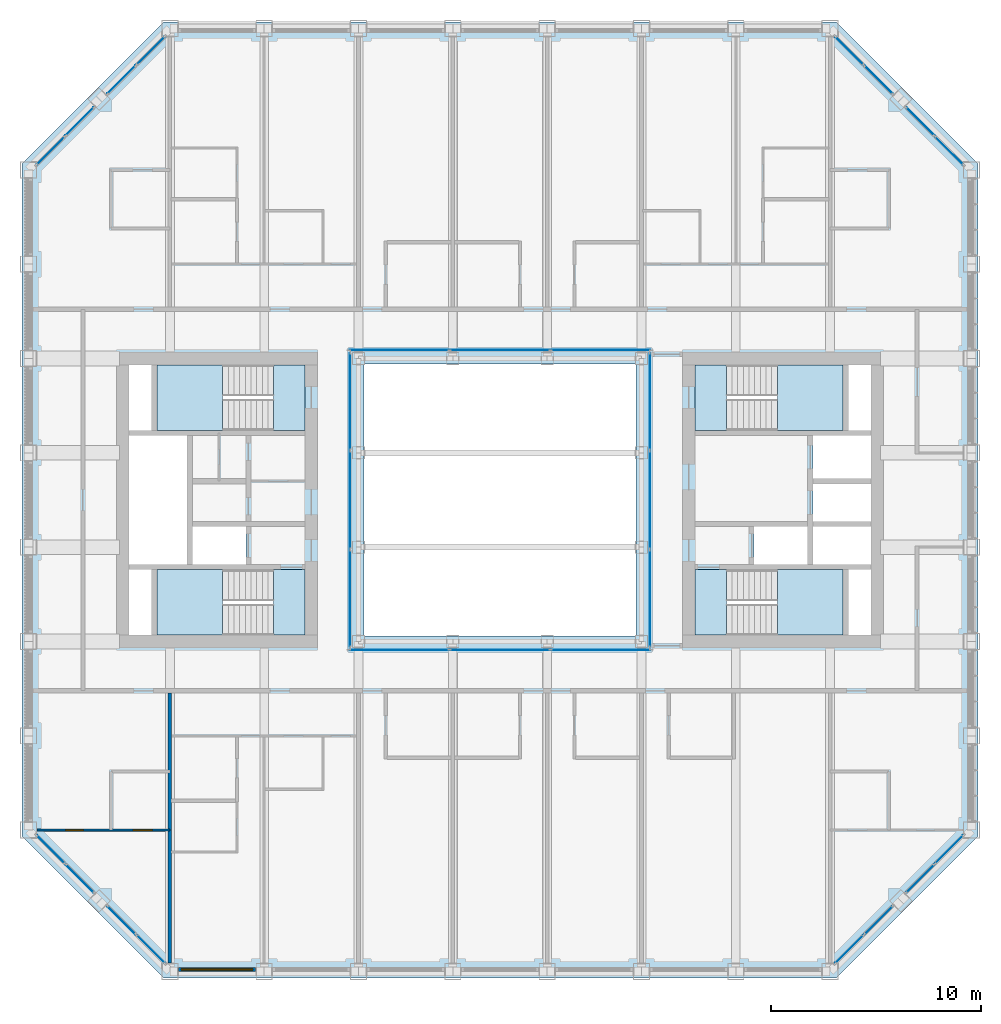
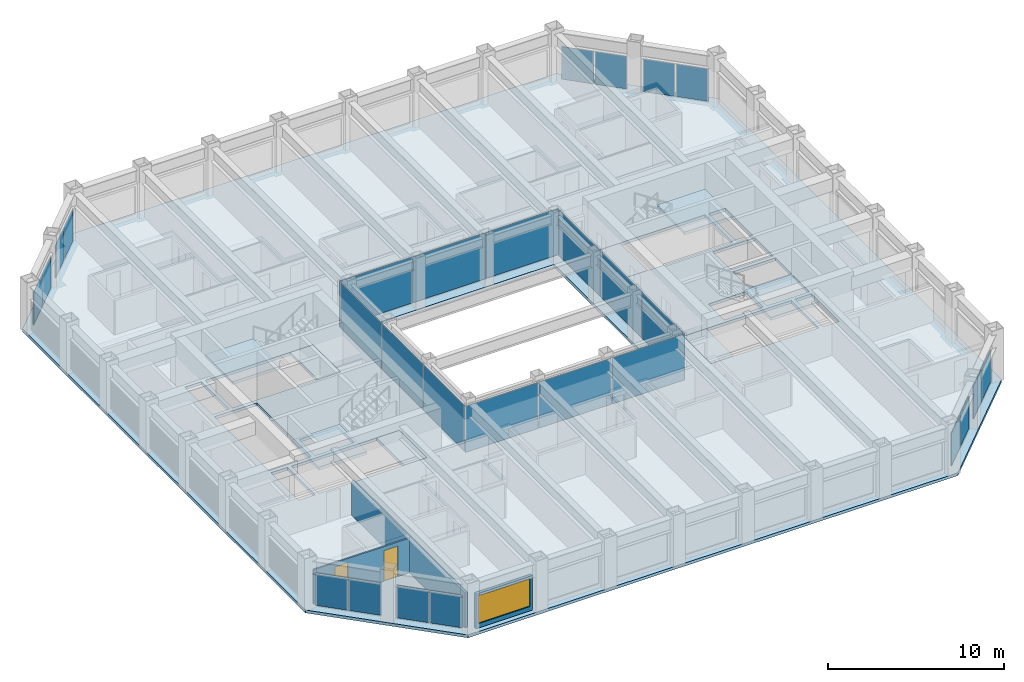
# One storey, part 9 of 18: 28 plates, 9 slabs, 3 walls, 2 doors, 1 window, 3 openings, 16 elements without a shape of their own.
"""IFC4 building model written with IfcOpenShell, lengths in metres."""

from ifc_helpers import new_model, si_unit, direction, frame, frame_2d, origin, origin_2d, place, context, subcontext, project, spatial, polyline, rectangle, outline, extrude, material, layer, layer_set, type_object, element, fill, aggregate, save


model = new_model("IFC4")

# Units and contexts
model_context = context("Model", 3, precision=1e-05, world=origin(), true_north=direction((0.0, 1.0)))
body_context = subcontext(model_context, "Body", "Model", "MODEL_VIEW")
ifc_project = project(units=[si_unit("LENGTHUNIT", "METRE"), si_unit("AREAUNIT", "SQUARE_METRE"), si_unit("VOLUMEUNIT", "CUBIC_METRE"), si_unit("PLANEANGLEUNIT", "RADIAN"), si_unit("MASSUNIT", "GRAM", prefix="KILO")], contexts=[model_context])

# Site, building, storey
site_placement = place(None, origin())
site = spatial("IfcSite", under=ifc_project, at=site_placement, CompositionType="ELEMENT")
building_placement = place(site_placement, origin())
building = spatial("IfcBuilding", under=site, at=building_placement, Name="Msasa Ring Tower", CompositionType="ELEMENT")
storey_placement = place(building_placement, frame((0.0, 0.0, 186.800048828125)))
storey = spatial("IfcBuildingStorey", under=building, at=storey_placement, Name="L49", CompositionType="ELEMENT", Elevation=186.800048828125)

# Curtain wall, plates
ifc_material_1 = material(Name="Aluminium curtain wall with clear glass", Category="aluminium")
curtain_wall_type_1 = type_object("IfcCurtainWallType", Name="CW-C CHAMFER CORNER CURTAIN WALL", PredefinedType="NOTDEFINED", material=ifc_material_1)
curtain_wall_1_placement = place(storey_placement, origin())
curtain_wall_1 = element("IfcCurtainWall", 1, at=curtain_wall_1_placement, inside=storey, type_object=curtain_wall_type_1, Name="Chamfer corner curtain wall SE L49", PredefinedType="NOTDEFINED")
ifc_material_2 = material(Name="Clear laminated insulating glass unit", Category="glass")
ifc_layer_1 = layer(ifc_material_2, 0.031982421875)
ifc_layer_set_1 = layer_set([ifc_layer_1], Name="CW-C GLASS PANEL 32")
plate_type_1 = type_object("IfcPlateType", Name="CW-C GLASS PANEL 32", PredefinedType="CURTAIN_PANEL", material=ifc_layer_set_1)
plate_1_placement = place(storey_placement, frame((16.677734375, -21.430908203125, 0.06494140625), z_axis=(0.0, 0.0, 1.0), x_axis=(0.707106781187, 0.707106781187, 0.0)))
plate_1 = element("IfcPlate", 2, at=plate_1_placement, type_object=plate_type_1, Name="CW-C panel 1.1", PredefinedType="CURTAIN_PANEL", context=body_context, shape_type="SweptSolid", body=[
    extrude(rectangle(XDim=1.884033203125, YDim=0.031982421875, at=origin_2d()), origin(), (0.0, 0.0, 1.0), 2.2490234375),
])
plate_2_placement = place(storey_placement, frame((18.055908203125, -20.052734375, 0.06494140625), z_axis=(0.0, 0.0, 1.0), x_axis=(0.707106781187, 0.707106781187, 0.0)))
plate_2 = element("IfcPlate", 3, at=plate_2_placement, type_object=plate_type_1, Name="CW-C panel 2.1", PredefinedType="CURTAIN_PANEL", context=body_context, shape_type="SweptSolid", body=[
    extrude(rectangle(XDim=1.884033203125, YDim=0.031982421875, at=origin_2d()), origin(), (0.0, 0.0, 1.0), 2.2490234375),
])
aggregate(curtain_wall_1, [plate_1, plate_2])

curtain_wall_2_placement = place(storey_placement, origin())
curtain_wall_2 = element("IfcCurtainWall", 4, at=curtain_wall_2_placement, inside=storey, type_object=curtain_wall_type_1, Name="Chamfer corner curtain wall SE L49", PredefinedType="NOTDEFINED")
plate_3_placement = place(storey_placement, frame((20.052734375, -18.055908203125, 0.06494140625), z_axis=(0.0, 0.0, 1.0), x_axis=(0.707106781187, 0.707106781187, 0.0)))
plate_3 = element("IfcPlate", 5, at=plate_3_placement, type_object=plate_type_1, Name="CW-C panel 1.1", PredefinedType="CURTAIN_PANEL", context=body_context, shape_type="SweptSolid", body=[
    extrude(rectangle(XDim=1.884033203125, YDim=0.031982421875, at=origin_2d()), origin(), (0.0, 0.0, 1.0), 2.2490234375),
])
plate_4_placement = place(storey_placement, frame((21.430908203125, -16.677734375, 0.06494140625), z_axis=(0.0, 0.0, 1.0), x_axis=(0.707106781187, 0.707106781187, 0.0)))
plate_4 = element("IfcPlate", 6, at=plate_4_placement, type_object=plate_type_1, Name="CW-C panel 2.1", PredefinedType="CURTAIN_PANEL", context=body_context, shape_type="SweptSolid", body=[
    extrude(rectangle(XDim=1.884033203125, YDim=0.031982421875, at=origin_2d()), origin(), (0.0, 0.0, 1.0), 2.2490234375),
])
aggregate(curtain_wall_2, [plate_3, plate_4])

curtain_wall_3_placement = place(storey_placement, origin())
curtain_wall_3 = element("IfcCurtainWall", 7, at=curtain_wall_3_placement, inside=storey, type_object=curtain_wall_type_1, Name="Chamfer corner curtain wall NE L49", PredefinedType="NOTDEFINED")
plate_5_placement = place(storey_placement, frame((18.055908203125, 20.052734375, 0.06494140625), z_axis=(0.0, 0.0, 1.0), x_axis=(-0.707106781187, 0.707106781187, 0.0)))
plate_5 = element("IfcPlate", 8, at=plate_5_placement, type_object=plate_type_1, Name="CW-C panel 1.1", PredefinedType="CURTAIN_PANEL", context=body_context, shape_type="SweptSolid", body=[
    extrude(rectangle(XDim=1.884033203125, YDim=0.031982421875, at=origin_2d()), origin(), (0.0, 0.0, 1.0), 2.2490234375),
])
plate_6_placement = place(storey_placement, frame((16.677734375, 21.430908203125, 0.06494140625), z_axis=(0.0, 0.0, 1.0), x_axis=(-0.707106781187, 0.707106781187, 0.0)))
plate_6 = element("IfcPlate", 9, at=plate_6_placement, type_object=plate_type_1, Name="CW-C panel 2.1", PredefinedType="CURTAIN_PANEL", context=body_context, shape_type="SweptSolid", body=[
    extrude(rectangle(XDim=1.884033203125, YDim=0.031982421875, at=origin_2d()), origin(), (0.0, 0.0, 1.0), 2.2490234375),
])
aggregate(curtain_wall_3, [plate_5, plate_6])

curtain_wall_4_placement = place(storey_placement, origin())
curtain_wall_4 = element("IfcCurtainWall", 10, at=curtain_wall_4_placement, inside=storey, type_object=curtain_wall_type_1, Name="Chamfer corner curtain wall NE L49", PredefinedType="NOTDEFINED")
plate_7_placement = place(storey_placement, frame((21.430908203125, 16.677734375, 0.06494140625), z_axis=(0.0, 0.0, 1.0), x_axis=(-0.707106781187, 0.707106781187, 0.0)))
plate_7 = element("IfcPlate", 11, at=plate_7_placement, type_object=plate_type_1, Name="CW-C panel 1.1", PredefinedType="CURTAIN_PANEL", context=body_context, shape_type="SweptSolid", body=[
    extrude(rectangle(XDim=1.884033203125, YDim=0.031982421875, at=origin_2d()), origin(), (0.0, 0.0, 1.0), 2.2490234375),
])
plate_8_placement = place(storey_placement, frame((20.052734375, 18.055908203125, 0.06494140625), z_axis=(0.0, 0.0, 1.0), x_axis=(-0.707106781187, 0.707106781187, 0.0)))
plate_8 = element("IfcPlate", 12, at=plate_8_placement, type_object=plate_type_1, Name="CW-C panel 2.1", PredefinedType="CURTAIN_PANEL", context=body_context, shape_type="SweptSolid", body=[
    extrude(rectangle(XDim=1.884033203125, YDim=0.031982421875, at=origin_2d()), origin(), (0.0, 0.0, 1.0), 2.2490234375),
])
aggregate(curtain_wall_4, [plate_7, plate_8])

curtain_wall_5_placement = place(storey_placement, origin())
curtain_wall_5 = element("IfcCurtainWall", 13, at=curtain_wall_5_placement, inside=storey, type_object=curtain_wall_type_1, Name="Chamfer corner curtain wall NW L49", PredefinedType="NOTDEFINED")
plate_9_placement = place(storey_placement, frame((-20.052734375, 18.055908203125, 0.06494140625), z_axis=(0.0, 0.0, 1.0), x_axis=(-0.707106781187, -0.707106781187, 0.0)))
plate_9 = element("IfcPlate", 14, at=plate_9_placement, type_object=plate_type_1, Name="CW-C panel 1.1", PredefinedType="CURTAIN_PANEL", context=body_context, shape_type="SweptSolid", body=[
    extrude(rectangle(XDim=1.884033203125, YDim=0.031982421875, at=origin_2d()), origin(), (0.0, 0.0, 1.0), 2.2490234375),
])
plate_10_placement = place(storey_placement, frame((-21.430908203125, 16.677734375, 0.06494140625), z_axis=(0.0, 0.0, 1.0), x_axis=(-0.707106781187, -0.707106781187, 0.0)))
plate_10 = element("IfcPlate", 15, at=plate_10_placement, type_object=plate_type_1, Name="CW-C panel 2.1", PredefinedType="CURTAIN_PANEL", context=body_context, shape_type="SweptSolid", body=[
    extrude(rectangle(XDim=1.884033203125, YDim=0.031982421875, at=origin_2d()), origin(), (0.0, 0.0, 1.0), 2.2490234375),
])
aggregate(curtain_wall_5, [plate_9, plate_10])

curtain_wall_6_placement = place(storey_placement, origin())
curtain_wall_6 = element("IfcCurtainWall", 16, at=curtain_wall_6_placement, inside=storey, type_object=curtain_wall_type_1, Name="Chamfer corner curtain wall NW L49", PredefinedType="NOTDEFINED")
plate_11_placement = place(storey_placement, frame((-16.677734375, 21.430908203125, 0.06494140625), z_axis=(0.0, 0.0, 1.0), x_axis=(-0.707106781187, -0.707106781187, 0.0)))
plate_11 = element("IfcPlate", 17, at=plate_11_placement, type_object=plate_type_1, Name="CW-C panel 1.1", PredefinedType="CURTAIN_PANEL", context=body_context, shape_type="SweptSolid", body=[
    extrude(rectangle(XDim=1.884033203125, YDim=0.031982421875, at=origin_2d()), origin(), (0.0, 0.0, 1.0), 2.2490234375),
])
plate_12_placement = place(storey_placement, frame((-18.055908203125, 20.052734375, 0.06494140625), z_axis=(0.0, 0.0, 1.0), x_axis=(-0.707106781187, -0.707106781187, 0.0)))
plate_12 = element("IfcPlate", 18, at=plate_12_placement, type_object=plate_type_1, Name="CW-C panel 2.1", PredefinedType="CURTAIN_PANEL", context=body_context, shape_type="SweptSolid", body=[
    extrude(rectangle(XDim=1.884033203125, YDim=0.031982421875, at=origin_2d()), origin(), (0.0, 0.0, 1.0), 2.2490234375),
])
aggregate(curtain_wall_6, [plate_11, plate_12])

curtain_wall_7_placement = place(storey_placement, origin())
curtain_wall_7 = element("IfcCurtainWall", 19, at=curtain_wall_7_placement, inside=storey, type_object=curtain_wall_type_1, Name="Chamfer corner curtain wall SW L49", PredefinedType="NOTDEFINED")
plate_13_placement = place(storey_placement, frame((-21.430908203125, -16.677734375, 0.06494140625), z_axis=(0.0, 0.0, 1.0), x_axis=(0.707106781187, -0.707106781187, 0.0)))
plate_13 = element("IfcPlate", 20, at=plate_13_placement, type_object=plate_type_1, Name="CW-C panel 1.1", PredefinedType="CURTAIN_PANEL", context=body_context, shape_type="SweptSolid", body=[
    extrude(rectangle(XDim=1.884033203125, YDim=0.031982421875, at=origin_2d()), origin(), (0.0, 0.0, 1.0), 2.2490234375),
])
plate_14_placement = place(storey_placement, frame((-20.052734375, -18.055908203125, 0.06494140625), z_axis=(0.0, 0.0, 1.0), x_axis=(0.707106781187, -0.707106781187, 0.0)))
plate_14 = element("IfcPlate", 21, at=plate_14_placement, type_object=plate_type_1, Name="CW-C panel 2.1", PredefinedType="CURTAIN_PANEL", context=body_context, shape_type="SweptSolid", body=[
    extrude(rectangle(XDim=1.884033203125, YDim=0.031982421875, at=origin_2d()), origin(), (0.0, 0.0, 1.0), 2.2490234375),
])
aggregate(curtain_wall_7, [plate_13, plate_14])

curtain_wall_8_placement = place(storey_placement, origin())
curtain_wall_8 = element("IfcCurtainWall", 22, at=curtain_wall_8_placement, inside=storey, type_object=curtain_wall_type_1, Name="Chamfer corner curtain wall SW L49", PredefinedType="NOTDEFINED")
plate_15_placement = place(storey_placement, frame((-18.055908203125, -20.052734375, 0.06494140625), z_axis=(0.0, 0.0, 1.0), x_axis=(0.707106781187, -0.707106781187, 0.0)))
plate_15 = element("IfcPlate", 23, at=plate_15_placement, type_object=plate_type_1, Name="CW-C panel 1.1", PredefinedType="CURTAIN_PANEL", context=body_context, shape_type="SweptSolid", body=[
    extrude(rectangle(XDim=1.884033203125, YDim=0.031982421875, at=origin_2d()), origin(), (0.0, 0.0, 1.0), 2.2490234375),
])
plate_16_placement = place(storey_placement, frame((-16.677734375, -21.430908203125, 0.06494140625), z_axis=(0.0, 0.0, 1.0), x_axis=(0.707106781187, -0.707106781187, 0.0)))
plate_16 = element("IfcPlate", 24, at=plate_16_placement, type_object=plate_type_1, Name="CW-C panel 2.1", PredefinedType="CURTAIN_PANEL", context=body_context, shape_type="SweptSolid", body=[
    extrude(rectangle(XDim=1.884033203125, YDim=0.031982421875, at=origin_2d()), origin(), (0.0, 0.0, 1.0), 2.2490234375),
])
aggregate(curtain_wall_8, [plate_15, plate_16])

ifc_material_3 = material(Name="Aluminium curtain wall with clear glass", Category="aluminium")
curtain_wall_type_2 = type_object("IfcCurtainWallType", Name="CW-W LIGHT WELL CURTAIN WALL", PredefinedType="NOTDEFINED", material=ifc_material_3)
curtain_wall_9_placement = place(storey_placement, origin())
curtain_wall_9 = element("IfcCurtainWall", 25, at=curtain_wall_9_placement, inside=storey, type_object=curtain_wall_type_2, Name="Light well curtain wall N L49", PredefinedType="NOTDEFINED")
ifc_material_4 = material(Name="Clear laminated insulating glass unit", Category="glass")
ifc_layer_2 = layer(ifc_material_4, 0.028076171875)
ifc_layer_set_2 = layer_set([ifc_layer_2], Name="CW-W GLASS PANEL 28")
plate_type_2 = type_object("IfcPlateType", Name="CW-W GLASS PANEL 28", PredefinedType="CURTAIN_PANEL", material=ifc_layer_set_2)
plate_17_placement = place(storey_placement, frame((-4.804931640625, 7.14990234375, 0.06005859375), z_axis=(0.0, 0.0, 1.0), x_axis=(1.0, 0.0, 0.0)))
plate_17 = element("IfcPlate", 26, at=plate_17_placement, type_object=plate_type_2, Name="CW-W panel 1.1", PredefinedType="CURTAIN_PANEL", context=body_context, shape_type="SweptSolid", body=[
    extrude(rectangle(XDim=4.72998046875, YDim=0.028076171875, at=origin_2d()), origin(), (0.0, 0.0, 1.0), 3.179931640625),
])
plate_18_placement = place(storey_placement, frame((0.0, 7.14990234375, 0.06005859375), z_axis=(0.0, 0.0, 1.0), x_axis=(1.0, 0.0, 0.0)))
plate_18 = element("IfcPlate", 27, at=plate_18_placement, type_object=plate_type_2, Name="CW-W panel 2.1", PredefinedType="CURTAIN_PANEL", context=body_context, shape_type="SweptSolid", body=[
    extrude(rectangle(XDim=4.760009765625, YDim=0.028076171875, at=origin_2d()), origin(), (0.0, 0.0, 1.0), 3.179931640625),
])
plate_19_placement = place(storey_placement, frame((4.804931640625, 7.14990234375, 0.06005859375), z_axis=(0.0, 0.0, 1.0), x_axis=(1.0, 0.0, 0.0)))
plate_19 = element("IfcPlate", 28, at=plate_19_placement, type_object=plate_type_2, Name="CW-W panel 3.1", PredefinedType="CURTAIN_PANEL", context=body_context, shape_type="SweptSolid", body=[
    extrude(rectangle(XDim=4.72998046875, YDim=0.028076171875, at=origin_2d()), origin(), (0.0, 0.0, 1.0), 3.179931640625),
])
aggregate(curtain_wall_9, [plate_17, plate_18, plate_19])

curtain_wall_10_placement = place(storey_placement, origin())
curtain_wall_10 = element("IfcCurtainWall", 29, at=curtain_wall_10_placement, inside=storey, type_object=curtain_wall_type_2, Name="Light well curtain wall S L49", PredefinedType="NOTDEFINED")
plate_20_placement = place(storey_placement, frame((-4.804931640625, -7.14990234375, 0.06005859375), z_axis=(0.0, 0.0, 1.0), x_axis=(1.0, 0.0, 0.0)))
plate_20 = element("IfcPlate", 30, at=plate_20_placement, type_object=plate_type_2, Name="CW-W panel 1.1", PredefinedType="CURTAIN_PANEL", context=body_context, shape_type="SweptSolid", body=[
    extrude(rectangle(XDim=4.72998046875, YDim=0.028076171875, at=origin_2d()), origin(), (0.0, 0.0, 1.0), 3.179931640625),
])
plate_21_placement = place(storey_placement, frame((0.0, -7.14990234375, 0.06005859375), z_axis=(0.0, 0.0, 1.0), x_axis=(1.0, 0.0, 0.0)))
plate_21 = element("IfcPlate", 31, at=plate_21_placement, type_object=plate_type_2, Name="CW-W panel 2.1", PredefinedType="CURTAIN_PANEL", context=body_context, shape_type="SweptSolid", body=[
    extrude(rectangle(XDim=4.760009765625, YDim=0.028076171875, at=origin_2d()), origin(), (0.0, 0.0, 1.0), 3.179931640625),
])
plate_22_placement = place(storey_placement, frame((4.804931640625, -7.14990234375, 0.06005859375), z_axis=(0.0, 0.0, 1.0), x_axis=(1.0, 0.0, 0.0)))
plate_22 = element("IfcPlate", 32, at=plate_22_placement, type_object=plate_type_2, Name="CW-W panel 3.1", PredefinedType="CURTAIN_PANEL", context=body_context, shape_type="SweptSolid", body=[
    extrude(rectangle(XDim=4.72998046875, YDim=0.028076171875, at=origin_2d()), origin(), (0.0, 0.0, 1.0), 3.179931640625),
])
aggregate(curtain_wall_10, [plate_20, plate_21, plate_22])

curtain_wall_11_placement = place(storey_placement, origin())
curtain_wall_11 = element("IfcCurtainWall", 33, at=curtain_wall_11_placement, inside=storey, type_object=curtain_wall_type_2, Name="Light well curtain wall E L49", PredefinedType="NOTDEFINED")
plate_23_placement = place(storey_placement, frame((7.14990234375, -4.6982421875, 0.06005859375), z_axis=(0.0, 0.0, 1.0), x_axis=(0.0, 1.0, 0.0)))
plate_23 = element("IfcPlate", 34, at=plate_23_placement, type_object=plate_type_2, Name="CW-W panel 1.1", PredefinedType="CURTAIN_PANEL", context=body_context, shape_type="SweptSolid", body=[
    extrude(rectangle(XDim=4.623291015625, YDim=0.028076171875, at=origin_2d()), origin(), (0.0, 0.0, 1.0), 3.179931640625),
])
plate_24_placement = place(storey_placement, frame((7.14990234375, 0.0, 0.06005859375), z_axis=(0.0, 0.0, 1.0), x_axis=(0.0, 1.0, 0.0)))
plate_24 = element("IfcPlate", 35, at=plate_24_placement, type_object=plate_type_2, Name="CW-W panel 2.1", PredefinedType="CURTAIN_PANEL", context=body_context, shape_type="SweptSolid", body=[
    extrude(rectangle(XDim=4.6533203125, YDim=0.028076171875, at=origin_2d()), origin(), (0.0, 0.0, 1.0), 3.179931640625),
])
plate_25_placement = place(storey_placement, frame((7.14990234375, 4.6982421875, 0.06005859375), z_axis=(0.0, 0.0, 1.0), x_axis=(0.0, 1.0, 0.0)))
plate_25 = element("IfcPlate", 36, at=plate_25_placement, type_object=plate_type_2, Name="CW-W panel 3.1", PredefinedType="CURTAIN_PANEL", context=body_context, shape_type="SweptSolid", body=[
    extrude(rectangle(XDim=4.623291015625, YDim=0.028076171875, at=origin_2d()), origin(), (0.0, 0.0, 1.0), 3.179931640625),
])
aggregate(curtain_wall_11, [plate_23, plate_24, plate_25])

curtain_wall_12_placement = place(storey_placement, origin())
curtain_wall_12 = element("IfcCurtainWall", 37, at=curtain_wall_12_placement, inside=storey, type_object=curtain_wall_type_2, Name="Light well curtain wall W L49", PredefinedType="NOTDEFINED")
plate_26_placement = place(storey_placement, frame((-7.14990234375, -4.6982421875, 0.06005859375), z_axis=(0.0, 0.0, 1.0), x_axis=(0.0, 1.0, 0.0)))
plate_26 = element("IfcPlate", 38, at=plate_26_placement, type_object=plate_type_2, Name="CW-W panel 1.1", PredefinedType="CURTAIN_PANEL", context=body_context, shape_type="SweptSolid", body=[
    extrude(rectangle(XDim=4.623291015625, YDim=0.028076171875, at=origin_2d()), origin(), (0.0, 0.0, 1.0), 3.179931640625),
])
plate_27_placement = place(storey_placement, frame((-7.14990234375, 0.0, 0.06005859375), z_axis=(0.0, 0.0, 1.0), x_axis=(0.0, 1.0, 0.0)))
plate_27 = element("IfcPlate", 39, at=plate_27_placement, type_object=plate_type_2, Name="CW-W panel 2.1", PredefinedType="CURTAIN_PANEL", context=body_context, shape_type="SweptSolid", body=[
    extrude(rectangle(XDim=4.6533203125, YDim=0.028076171875, at=origin_2d()), origin(), (0.0, 0.0, 1.0), 3.179931640625),
])
plate_28_placement = place(storey_placement, frame((-7.14990234375, 4.6982421875, 0.06005859375), z_axis=(0.0, 0.0, 1.0), x_axis=(0.0, 1.0, 0.0)))
plate_28 = element("IfcPlate", 40, at=plate_28_placement, type_object=plate_type_2, Name="CW-W panel 3.1", PredefinedType="CURTAIN_PANEL", context=body_context, shape_type="SweptSolid", body=[
    extrude(rectangle(XDim=4.623291015625, YDim=0.028076171875, at=origin_2d()), origin(), (0.0, 0.0, 1.0), 3.179931640625),
])
aggregate(curtain_wall_12, [plate_26, plate_27, plate_28])

# Stair, slabs
ifc_material_5 = material(Name="Concrete C40/50", Category="concrete")
stair_type = type_object("IfcStairType", Name="STC CORE STAIR 20 RISERS 180", PredefinedType="HALF_TURN_STAIR", material=ifc_material_5)
stair_1_placement = place(storey_placement, origin())
stair_1 = element("IfcStair", 41, at=stair_1_placement, inside=storey, type_object=stair_type, Name="Core stair SEA L49", PredefinedType="HALF_TURN_STAIR")
ifc_material_6 = material(Name="Concrete C40/50", Category="concrete")
ifc_layer_3 = layer(ifc_material_6, 0.199951171875)
ifc_layer_set_3 = layer_set([ifc_layer_3], Name="LD1 CORE STAIR LANDING 200")
slab_type_1 = type_object("IfcSlabType", Name="LD1 CORE STAIR LANDING 200", PredefinedType="LANDING", material=ifc_layer_set_3)
slab_1_placement = place(storey_placement, frame((0.0, 0.0, -0.199951171875)))
slab_1 = element("IfcSlab", 42, at=slab_1_placement, type_object=slab_type_1, Name="SEA landing 1", PredefinedType="LANDING", context=body_context, shape_type="SweptSolid", body=[
    extrude(outline(polyline([(9.300048828125, -6.449951171875), (10.800048828125, -6.449951171875), (10.800048828125, -3.324951171875), (9.300048828125, -3.324951171875), (9.300048828125, -6.449951171875)])), origin(), (0.0, 0.0, 1.0), 0.199951171875),
])
slab_2_placement = place(storey_placement, frame((0.0, 0.0, 1.599853515625)))
slab_2 = element("IfcSlab", 43, at=slab_2_placement, type_object=slab_type_1, Name="SEA landing 2", PredefinedType="LANDING", context=body_context, shape_type="SweptSolid", body=[
    extrude(outline(polyline([(13.22998046875, -6.449951171875), (16.375, -6.449951171875), (16.375, -3.324951171875), (13.22998046875, -3.324951171875), (13.22998046875, -6.449951171875)])), origin(), (0.0, 0.0, 1.0), 0.2001953125),
])
aggregate(stair_1, [slab_1, slab_2])

stair_2_placement = place(storey_placement, origin())
stair_2 = element("IfcStair", 44, at=stair_2_placement, inside=storey, type_object=stair_type, Name="Core stair SEB L49", PredefinedType="HALF_TURN_STAIR")
slab_3_placement = place(storey_placement, frame((0.0, 0.0, -0.199951171875)))
slab_3 = element("IfcSlab", 45, at=slab_3_placement, type_object=slab_type_1, Name="SEB landing 1", PredefinedType="LANDING", context=body_context, shape_type="SweptSolid", body=[
    extrude(outline(polyline([(9.300048828125, 3.324951171875), (10.800048828125, 3.324951171875), (10.800048828125, 6.449951171875), (9.300048828125, 6.449951171875), (9.300048828125, 3.324951171875)])), origin(), (0.0, 0.0, 1.0), 0.199951171875),
])
slab_4_placement = place(storey_placement, frame((0.0, 0.0, 1.599853515625)))
slab_4 = element("IfcSlab", 46, at=slab_4_placement, type_object=slab_type_1, Name="SEB landing 2", PredefinedType="LANDING", context=body_context, shape_type="SweptSolid", body=[
    extrude(outline(polyline([(13.22998046875, 3.324951171875), (16.375, 3.324951171875), (16.375, 6.449951171875), (13.22998046875, 6.449951171875), (13.22998046875, 3.324951171875)])), origin(), (0.0, 0.0, 1.0), 0.2001953125),
])
aggregate(stair_2, [slab_3, slab_4])

stair_3_placement = place(storey_placement, origin())
stair_3 = element("IfcStair", 47, at=stair_3_placement, inside=storey, type_object=stair_type, Name="Core stair SWA L49", PredefinedType="HALF_TURN_STAIR")
slab_5_placement = place(storey_placement, frame((0.0, 0.0, -0.199951171875)))
slab_5 = element("IfcSlab", 48, at=slab_5_placement, type_object=slab_type_1, Name="SWA landing 1", PredefinedType="LANDING", context=body_context, shape_type="SweptSolid", body=[
    extrude(outline(polyline([(-10.800048828125, -6.449951171875), (-9.300048828125, -6.449951171875), (-9.300048828125, -3.324951171875), (-10.800048828125, -3.324951171875), (-10.800048828125, -6.449951171875)])), origin(), (0.0, 0.0, 1.0), 0.199951171875),
])
slab_6_placement = place(storey_placement, frame((0.0, 0.0, 1.599853515625)))
slab_6 = element("IfcSlab", 49, at=slab_6_placement, type_object=slab_type_1, Name="SWA landing 2", PredefinedType="LANDING", context=body_context, shape_type="SweptSolid", body=[
    extrude(outline(polyline([(-16.375, -6.449951171875), (-13.22998046875, -6.449951171875), (-13.22998046875, -3.324951171875), (-16.375, -3.324951171875), (-16.375, -6.449951171875)])), origin(), (0.0, 0.0, 1.0), 0.2001953125),
])
aggregate(stair_3, [slab_5, slab_6])

stair_4_placement = place(storey_placement, origin())
stair_4 = element("IfcStair", 50, at=stair_4_placement, inside=storey, type_object=stair_type, Name="Core stair SWB L49", PredefinedType="HALF_TURN_STAIR")
slab_7_placement = place(storey_placement, frame((0.0, 0.0, -0.199951171875)))
slab_7 = element("IfcSlab", 51, at=slab_7_placement, type_object=slab_type_1, Name="SWB landing 1", PredefinedType="LANDING", context=body_context, shape_type="SweptSolid", body=[
    extrude(outline(polyline([(-10.800048828125, 3.324951171875), (-9.300048828125, 3.324951171875), (-9.300048828125, 6.449951171875), (-10.800048828125, 6.449951171875), (-10.800048828125, 3.324951171875)])), origin(), (0.0, 0.0, 1.0), 0.199951171875),
])
slab_8_placement = place(storey_placement, frame((0.0, 0.0, 1.599853515625)))
slab_8 = element("IfcSlab", 52, at=slab_8_placement, type_object=slab_type_1, Name="SWB landing 2", PredefinedType="LANDING", context=body_context, shape_type="SweptSolid", body=[
    extrude(outline(polyline([(-16.375, 3.324951171875), (-13.22998046875, 3.324951171875), (-13.22998046875, 6.449951171875), (-16.375, 6.449951171875), (-16.375, 3.324951171875)])), origin(), (0.0, 0.0, 1.0), 0.2001953125),
])
aggregate(stair_4, [slab_7, slab_8])

# Slab
ifc_material_7 = material(Name="Concrete C40/50", Category="concrete")
ifc_layer_4 = layer(ifc_material_7, 0.199951171875)
ifc_layer_set_4 = layer_set([ifc_layer_4], Name="S6 GUEST FLOOR 200")
slab_type_2 = type_object("IfcSlabType", Name="S6 GUEST FLOOR 200", PredefinedType="FLOOR", material=ifc_layer_set_4)
slab_9_placement = place(storey_placement, frame((0.0, 0.0, -0.199951171875)))
element("IfcSlab", 53, at=slab_9_placement, inside=storey, type_object=slab_type_2, Name="Floor slab L49", PredefinedType="FLOOR", context=body_context, shape_type="SweptSolid", body=[
    extrude(outline(polyline([(-16.050048828125, -22.800048828125), (16.050048828125, -22.800048828125), (22.800048828125, -16.050048828125), (22.800048828125, 16.050048828125), (16.050048828125, 22.800048828125), (-16.050048828125, 22.800048828125), (-22.800048828125, 16.050048828125), (-22.800048828125, -16.050048828125), (-16.050048828125, -22.800048828125)]), holes=[polyline([(-6.5, -6.5), (6.5, -6.5), (6.5, 6.5), (-6.5, 6.5), (-6.5, -6.5)]), polyline([(9.300048828125, -6.449951171875), (16.375, -6.449951171875), (16.375, -3.324951171875), (9.300048828125, -3.324951171875), (9.300048828125, -6.449951171875)]), polyline([(9.300048828125, 3.324951171875), (16.375, 3.324951171875), (16.375, 6.449951171875), (9.300048828125, 6.449951171875), (9.300048828125, 3.324951171875)]), polyline([(12.125, -3.074951171875), (14.675048828125, -3.074951171875), (14.675048828125, -1.27490234375), (12.125, -1.27490234375), (12.125, -3.074951171875)]), polyline([(16.625, -6.449951171875), (17.699951171875, -6.449951171875), (17.699951171875, -3.324951171875), (16.625, -3.324951171875), (16.625, -6.449951171875)]), polyline([(16.625, 3.324951171875), (17.699951171875, 3.324951171875), (17.699951171875, 6.449951171875), (16.625, 6.449951171875), (16.625, 3.324951171875)]), polyline([(14.925048828125, -3.074951171875), (17.699951171875, -3.074951171875), (17.699951171875, -1.27490234375), (14.925048828125, -1.27490234375), (14.925048828125, -3.074951171875)]), polyline([(14.925048828125, -1.02490234375), (17.699951171875, -1.02490234375), (17.699951171875, 0.77490234375), (14.925048828125, 0.77490234375), (14.925048828125, -1.02490234375)]), polyline([(14.925048828125, 1.02490234375), (17.699951171875, 1.02490234375), (17.699951171875, 3.074951171875), (14.925048828125, 3.074951171875), (14.925048828125, 1.02490234375)]), polyline([(-16.375, -6.449951171875), (-9.300048828125, -6.449951171875), (-9.300048828125, -3.324951171875), (-16.375, -3.324951171875), (-16.375, -6.449951171875)]), polyline([(-16.375, 3.324951171875), (-9.300048828125, 3.324951171875), (-9.300048828125, 6.449951171875), (-16.375, 6.449951171875), (-16.375, 3.324951171875)]), polyline([(-14.675048828125, -3.074951171875), (-12.125, -3.074951171875), (-12.125, -1.27490234375), (-14.675048828125, -1.27490234375), (-14.675048828125, -3.074951171875)]), polyline([(-17.699951171875, -6.449951171875), (-16.625, -6.449951171875), (-16.625, -3.324951171875), (-17.699951171875, -3.324951171875), (-17.699951171875, -6.449951171875)]), polyline([(-17.699951171875, 3.324951171875), (-16.625, 3.324951171875), (-16.625, 6.449951171875), (-17.699951171875, 6.449951171875), (-17.699951171875, 3.324951171875)]), polyline([(-17.699951171875, -3.074951171875), (-14.925048828125, -3.074951171875), (-14.925048828125, 3.074951171875), (-17.699951171875, 3.074951171875), (-17.699951171875, -3.074951171875)])]), origin(), (0.0, 0.0, 1.0), 0.199951171875),
])

# Wall, opening, window
ifc_material_8 = material(Name="Terracotta rainscreen on blockwork", Category="masonry")
ifc_layer_5 = layer(ifc_material_8, 0.199951171875)
ifc_layer_set_5 = layer_set([ifc_layer_5], Name="FW1 TERRACOTTA-LINED INFILL BAY WALL 200")
wall_type_1 = type_object("IfcWallType", Name="FW1 TERRACOTTA-LINED INFILL BAY WALL 200", PredefinedType="SOLIDWALL", material=ifc_layer_set_5)
wall_1_placement = place(storey_placement, frame((-15.344970703125, -22.39990234375, 0.0), z_axis=(0.0, 0.0, 1.0), x_axis=(1.0, 0.0, 0.0)))
wall_1 = element("IfcWall", 54, at=wall_1_placement, inside=storey, type_object=wall_type_1, Name="Infill bay wall S L49 00", PredefinedType="SOLIDWALL", context=body_context, shape_type="SweptSolid", body=[
    extrude(rectangle(XDim=3.68994140625, YDim=0.199951171875, at=frame_2d((1.844970703125, 0.0))), origin(), (0.0, 0.0, 1.0), 2.37890625),
])
opening_1_placement = place(wall_1_placement, frame((0.14501953125, 0.0, 0.300048828125)))
opening_1 = element("IfcOpeningElement", 55, at=opening_1_placement, cuts=wall_1, Name="Opening WN7", PredefinedType="OPENING", context=body_context, shape_type="SweptSolid", body=[
    extrude(rectangle(XDim=3.39990234375, YDim=1.928955078125, at=frame_2d((1.699951171875, 0.96435546875))), frame((0.0, 0.10986328125, 0.0), z_axis=(0.0, -1.0, 0.0), x_axis=(1.0, 0.0, 0.0)), (0.0, 0.0, 1.0), 0.219970703125),
])
ifc_material_9 = material(Name="Aluminium frame with clear glass", Category="aluminium")
window_type = type_object("IfcWindowType", Name="WN7 GUEST ROOM WINDOW 3400x1929", PartitioningType="SINGLE_PANEL", PredefinedType="WINDOW", material=ifc_material_9)
window_placement = place(opening_1_placement, origin())
window = element("IfcWindow", 56, at=window_placement, inside=storey, type_object=window_type, Name="Window S L49 00", OverallHeight=1.928955078125, OverallWidth=3.39990234375, PartitioningType="SINGLE_PANEL", PredefinedType="WINDOW", context=body_context, shape_type="SweptSolid", body=[
    extrude(rectangle(XDim=3.39990234375, YDim=1.928955078125, at=frame_2d((1.699951171875, 0.96435546875))), frame((0.0, 0.030029296875, 0.0), z_axis=(0.0, -1.0, 0.0), x_axis=(1.0, 0.0, 0.0)), (0.0, 0.0, 1.0), 0.06005859375),
])
fill(opening_1, window)

# Wall, openings, doors
ifc_material_10 = material(Name="Gypsum board on steel studs", Category="steel")
ifc_layer_6 = layer(ifc_material_10, 0.10009765625)
ifc_layer_set_6 = layer_set([ifc_layer_6], Name="PT2 STUD PARTITION 100")
wall_type_2 = type_object("IfcWallType", Name="PT2 STUD PARTITION 100", PredefinedType="PARTITIONING", material=ifc_layer_set_6)
wall_2_placement = place(storey_placement, frame((-22.10009765625, -15.75, 0.0), z_axis=(0.0, 0.0, 1.0), x_axis=(1.0, 0.0, 0.0)))
wall_2 = element("IfcWall", 57, at=wall_2_placement, inside=storey, type_object=wall_type_2, Name="Partition L49-CSSWX", PredefinedType="PARTITIONING", context=body_context, shape_type="SweptSolid", body=[
    extrude(rectangle(XDim=6.35009765625, YDim=0.10009765625, at=frame_2d((3.175048828125, 0.0))), origin(), (0.0, 0.0, 1.0), 2.37890625),
])
opening_2_placement = place(wall_2_placement, frame((1.375, 0.0, 0.0)))
opening_2 = element("IfcOpeningElement", 58, at=opening_2_placement, cuts=wall_2, Name="Opening HG-056", PredefinedType="OPENING", context=body_context, shape_type="SweptSolid", body=[
    extrude(rectangle(XDim=0.85009765625, YDim=2.10009765625, at=frame_2d((0.425048828125, 1.050048828125))), frame((0.0, 0.06005859375, 0.0), z_axis=(0.0, -1.0, 0.0), x_axis=(1.0, 0.0, 0.0)), (0.0, 0.0, 1.0), 0.1201171875),
])
opening_3_placement = place(wall_2_placement, frame((4.60009765625, 0.0, 0.0)))
opening_3 = element("IfcOpeningElement", 59, at=opening_3_placement, cuts=wall_2, Name="Opening HG-057", PredefinedType="OPENING", context=body_context, shape_type="SweptSolid", body=[
    extrude(rectangle(XDim=0.89990234375, YDim=2.10009765625, at=frame_2d((0.449951171875, 1.050048828125))), frame((0.0, 0.06005859375, 0.0), z_axis=(0.0, -1.0, 0.0), x_axis=(1.0, 0.0, 0.0)), (0.0, 0.0, 1.0), 0.1201171875),
])
ifc_material_11 = material(Name="Timber door leaf in a steel frame", Category="steel")
door_type_1 = type_object("IfcDoorType", Name="D14 BEDROOM DOOR 850x2100", OperationType="SINGLE_SWING_LEFT", PredefinedType="DOOR", material=ifc_material_11)
door_1_placement = place(opening_2_placement, origin())
door_1 = element("IfcDoor", 60, at=door_1_placement, inside=storey, type_object=door_type_1, Name="Door L49-CSSWR1", OperationType="SINGLE_SWING_LEFT", OverallHeight=2.10009765625, OverallWidth=0.85009765625, PredefinedType="DOOR", context=body_context, shape_type="SweptSolid", body=[
    extrude(rectangle(XDim=0.85009765625, YDim=2.10009765625, at=frame_2d((0.425048828125, 1.050048828125))), frame((0.0, 0.02490234375, 0.0), z_axis=(0.0, -1.0, 0.0), x_axis=(1.0, 0.0, 0.0)), (0.0, 0.0, 1.0), 0.050048828125),
])
fill(opening_2, door_1)
ifc_material_12 = material(Name="Timber door leaf in a steel frame", Category="steel")
door_type_2 = type_object("IfcDoorType", Name="D3 BATHROOM DOOR 900x2100", OperationType="SINGLE_SWING_LEFT", PredefinedType="DOOR", material=ifc_material_12)
door_2_placement = place(opening_3_placement, origin())
door_2 = element("IfcDoor", 61, at=door_2_placement, inside=storey, type_object=door_type_2, Name="Door L49-CSSWB1", OperationType="SINGLE_SWING_RIGHT", OverallHeight=2.10009765625, OverallWidth=0.89990234375, PredefinedType="DOOR", context=body_context, shape_type="SweptSolid", body=[
    extrude(rectangle(XDim=0.89990234375, YDim=2.10009765625, at=frame_2d((0.449951171875, 1.050048828125))), frame((0.0, 0.02490234375, 0.0), z_axis=(0.0, -1.0, 0.0), x_axis=(1.0, 0.0, 0.0)), (0.0, 0.0, 1.0), 0.050048828125),
])
fill(opening_3, door_2)

# Wall
ifc_material_13 = material(Name="Twin steel studs, two layers of acoustic board each face, mineral wool", Category="steel")
ifc_layer_7 = layer(ifc_material_13, 0.175048828125)
ifc_layer_set_7 = layer_set([ifc_layer_7], Name="PT5 GUEST ROOM SEPARATING WALL 175")
wall_type_3 = type_object("IfcWallType", Name="PT5 GUEST ROOM SEPARATING WALL 175", PredefinedType="PARTITIONING", material=ifc_layer_set_7)
wall_3_placement = place(storey_placement, frame((-15.75, -22.10009765625, 0.0), z_axis=(0.0, 0.0, 1.0), x_axis=(0.0, 1.0, 0.0)))
element("IfcWall", 62, at=wall_3_placement, inside=storey, type_object=wall_type_3, Name="Partition L49-PWS-15.75", PredefinedType="PARTITIONING", context=body_context, shape_type="SweptSolid", body=[
    extrude(rectangle(XDim=12.900146484375, YDim=0.175048828125, at=frame_2d((6.4501953125, 0.0))), origin(), (0.0, 0.0, 1.0), 2.37890625),
])

save(model, "model.ifc")
